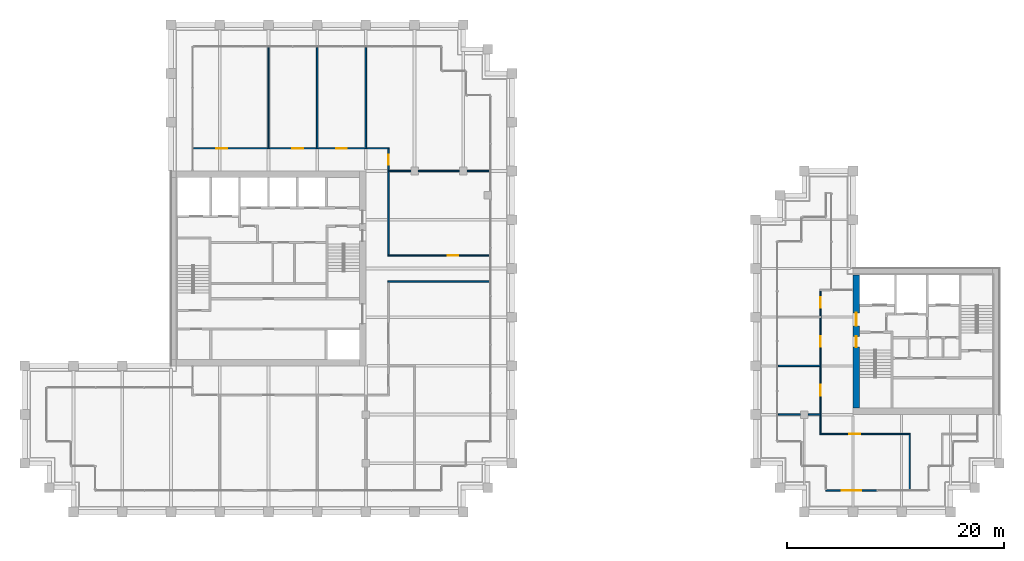
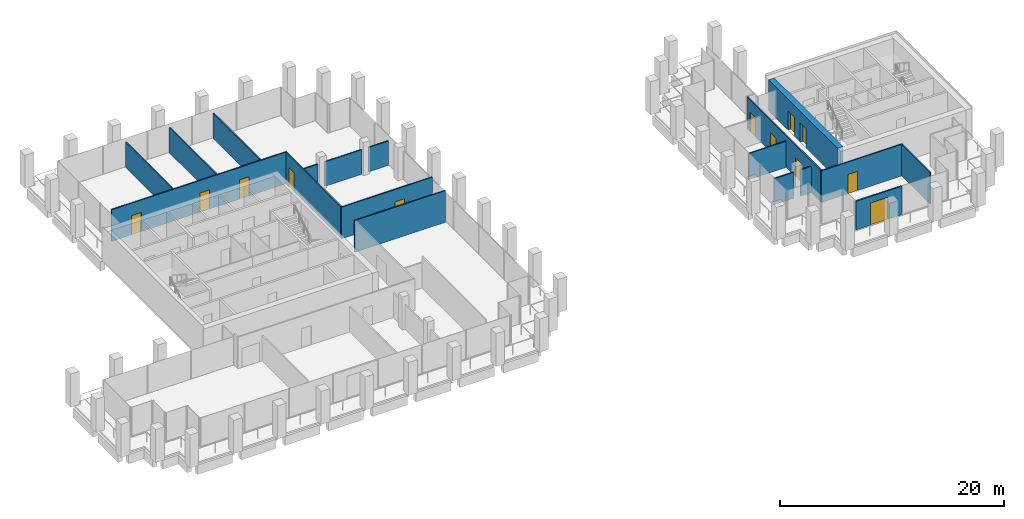
# One storey, part 37 of 40: 18 walls, 12 doors, 12 openings.
"""IFC4 building model written with IfcOpenShell, lengths in metres."""

from ifc_helpers import new_model, si_unit, direction, frame, frame_2d, origin, place, context, subcontext, project, spatial, rectangle, extrude, material, layer, layer_set, type_object, element, fill, save


model = new_model("IFC4")

# Units and contexts
model_context = context("Model", 3, precision=1e-05, world=origin(), true_north=direction((0.0, 1.0)))
body_context = subcontext(model_context, "Body", "Model", "MODEL_VIEW")
ifc_project = project(units=[si_unit("LENGTHUNIT", "METRE"), si_unit("AREAUNIT", "SQUARE_METRE"), si_unit("VOLUMEUNIT", "CUBIC_METRE"), si_unit("PLANEANGLEUNIT", "RADIAN"), si_unit("MASSUNIT", "GRAM", prefix="KILO")], contexts=[model_context])

# Site, building, storey
site_placement = place(None, origin())
site = spatial("IfcSite", under=ifc_project, at=site_placement, CompositionType="ELEMENT")
building_placement = place(site_placement, origin())
building = spatial("IfcBuilding", under=site, at=building_placement, Name="Altepetl Exchange Towers", CompositionType="ELEMENT")
storey_placement = place(building_placement, frame((0.0, 0.0, 172.60009765625)))
storey = spatial("IfcBuildingStorey", under=building, at=storey_placement, Name="L43", CompositionType="ELEMENT", Elevation=172.60009765625)

# Wall, openings, doors
ifc_material_1 = material(Name="Concrete C70/85", Category="concrete")
ifc_layer_1 = layer(ifc_material_1, 0.60009765625)
ifc_layer_set_1 = layer_set([ifc_layer_1], Name="Concrete C70/85")
wall_type_1 = type_object("IfcWallType", Name="Core wall 600 reinforced concrete", PredefinedType="SHEAR", material=ifc_layer_set_1)
wall_1_placement = place(storey_placement, frame((103.800048828125, 36.60009765625, 0.0), z_axis=(0.0, 0.0, 1.0), x_axis=(0.0, 1.0, 0.0)))
wall_1 = element("IfcWall", 1, at=wall_1_placement, inside=storey, type_object=wall_type_1, Name="wall:B:L43:K-coreW", PredefinedType="SHEAR", context=body_context, shape_type="SweptSolid", body=[
    extrude(rectangle(XDim=12.2998046875, YDim=0.60009765625, at=frame_2d((6.14990234375, 0.0))), origin(), (0.0, 0.0, 1.0), 3.349853515625),
])
opening_1_placement = place(wall_1_placement, frame((7.60009765625, 0.0, 0.0)))
opening_1 = element("IfcOpeningElement", 2, at=opening_1_placement, cuts=wall_1, Name="Opening L43.B60", PredefinedType="OPENING", context=body_context, shape_type="SweptSolid", body=[
    extrude(rectangle(XDim=1.199951171875, YDim=2.10009765625, at=frame_2d((0.60009765625, 1.050048828125))), frame((0.0, 0.31005859375, 0.0), z_axis=(0.0, -1.0, 0.0), x_axis=(1.0, 0.0, 0.0)), (0.0, 0.0, 1.0), 0.6201171875),
])
opening_2_placement = place(wall_1_placement, frame((5.625, 0.0, 0.0)))
opening_2 = element("IfcOpeningElement", 3, at=opening_2_placement, cuts=wall_1, Name="Opening L43.B62", PredefinedType="OPENING", context=body_context, shape_type="SweptSolid", body=[
    extrude(rectangle(XDim=1.0, YDim=2.10009765625, at=frame_2d((0.5, 1.050048828125))), frame((0.0, 0.31005859375, 0.0), z_axis=(0.0, -1.0, 0.0), x_axis=(1.0, 0.0, 0.0)), (0.0, 0.0, 1.0), 0.6201171875),
])
ifc_material_2 = material(Name="Steel and timber fire door", Category="steel")
door_type_1 = type_object("IfcDoorType", Name="Fire door 1000 x 2100 stair and lobby", OperationType="SINGLE_SWING_LEFT", PredefinedType="DOOR", material=ifc_material_2)
door_1_placement = place(opening_2_placement, frame((1.0, 0.0, 0.0), x_axis=(-1.0, 0.0, 0.0)))
door_1 = element("IfcDoor", 4, at=door_1_placement, inside=storey, type_object=door_type_1, Name="door:B:L43:K-dS1x", OperationType="SINGLE_SWING_RIGHT", OverallHeight=2.10009765625, OverallWidth=1.0, PredefinedType="DOOR", context=body_context, shape_type="SweptSolid", body=[
    extrude(rectangle(XDim=1.0, YDim=2.10009765625, at=frame_2d((0.5, 1.050048828125))), frame((0.0, 0.02490234375, 0.0), z_axis=(0.0, -1.0, 0.0), x_axis=(1.0, 0.0, 0.0)), (0.0, 0.0, 1.0), 0.050048828125),
])
fill(opening_2, door_1)
door_type_2 = type_object("IfcDoorType", Name="Fire door 1200 x 2100 lobby entry", OperationType="SINGLE_SWING_LEFT", PredefinedType="DOOR", material=ifc_material_2)
door_2_placement = place(opening_1_placement, frame((1.199951171875, 0.0, 0.0), x_axis=(-1.0, 0.0, 0.0)))
door_2 = element("IfcDoor", 5, at=door_2_placement, inside=storey, type_object=door_type_2, Name="door:B:L43:K-dLNW", OperationType="SINGLE_SWING_RIGHT", OverallHeight=2.10009765625, OverallWidth=1.199951171875, PredefinedType="DOOR", context=body_context, shape_type="SweptSolid", body=[
    extrude(rectangle(XDim=1.199951171875, YDim=2.10009765625, at=frame_2d((0.60009765625, 1.050048828125))), frame((0.0, 0.02490234375, 0.0), z_axis=(0.0, -1.0, 0.0), x_axis=(1.0, 0.0, 0.0)), (0.0, 0.0, 1.0), 0.050048828125),
])
fill(opening_1, door_2)

# Wall, opening, door
ifc_material_3 = material(Name="Aluminium composite cladding", Category="aluminium")
ifc_layer_2 = layer(ifc_material_3, 0.14990234375)
ifc_layer_set_2 = layer_set([ifc_layer_2], Name="Aluminium composite cladding")
wall_type_2 = type_object("IfcWallType", Name="Infill wall 150 aluminium panel", PredefinedType="SOLIDWALL", material=ifc_layer_set_2)
wall_2_placement = place(storey_placement, frame((101.0, 29.0, 0.0)))
wall_2 = element("IfcWall", 6, at=wall_2_placement, inside=storey, type_object=wall_type_2, Name="Loggia door bay wall", PredefinedType="SOLIDWALL", context=body_context, shape_type="SweptSolid", body=[
    extrude(rectangle(XDim=4.71240234375, YDim=0.14990234375, at=frame_2d((2.356201171875, 0.0))), origin(), (0.0, 0.0, 1.0), 3.099853515625),
])
opening_3_placement = place(wall_2_placement, frame((1.456298828125, 0.0, 0.0)))
opening_3 = element("IfcOpeningElement", 7, at=opening_3_placement, cuts=wall_2, Name="Opening L43.B90", PredefinedType="OPENING", context=body_context, shape_type="SweptSolid", body=[
    extrude(rectangle(XDim=1.800048828125, YDim=2.39990234375, at=frame_2d((0.89990234375, 1.199951171875))), frame((0.0, 0.0849609375, 0.0), z_axis=(0.0, -1.0, 0.0), x_axis=(1.0, 0.0, 0.0)), (0.0, 0.0, 1.0), 0.169921875),
])
ifc_material_4 = material(Name="Aluminium 6063-T6 and glass", Category="aluminium")
door_type_3 = type_object("IfcDoorType", Name="Glazed door pair 1800x2400", OperationType="DOUBLE_DOOR_DOUBLE_SWING", PredefinedType="NOTDEFINED", material=ifc_material_4)
door_3_placement = place(opening_3_placement, frame((1.800048828125, 0.0, 0.0), x_axis=(-1.0, 0.0, 0.0)))
door_3 = element("IfcDoor", 8, at=door_3_placement, inside=storey, type_object=door_type_3, Name="Loggia door", OperationType="DOUBLE_DOOR_DOUBLE_SWING", OverallHeight=2.39990234375, OverallWidth=1.800048828125, PredefinedType="NOTDEFINED", context=body_context, shape_type="SweptSolid", body=[
    extrude(rectangle(XDim=1.800048828125, YDim=2.39990234375, at=frame_2d((0.89990234375, 1.199951171875))), frame((0.0, 0.02490234375, 0.0), z_axis=(0.0, -1.0, 0.0), x_axis=(1.0, 0.0, 0.0)), (0.0, 0.0, 1.0), 0.050048828125),
])
fill(opening_3, door_3)

# Walls
ifc_material_5 = material(Name="Timber panels on aluminium track", Category="wood")
ifc_layer_3 = layer(ifc_material_5, 0.125)
ifc_layer_set_3 = layer_set([ifc_layer_3], Name="Timber panels on aluminium track")
wall_type_3 = type_object("IfcWallType", Name="Operable acoustic partition 125", PredefinedType="MOVABLE", material=ifc_layer_set_3)
for number, where, z_axis, x_axis, name in (
    (9, (49.5, 60.60009765625, 0.0), (0.0, 0.0, 1.0), (0.0, 1.0, 0.0), "wall:A:L43:P11"),
    (10, (54.0, 60.60009765625, 0.0), (0.0, 0.0, 1.0), (0.0, 1.0, 0.0), "wall:A:L43:P13"),
):
    element("IfcWall", number, at=place(storey_placement, frame(where, z_axis=z_axis, x_axis=x_axis)), inside=storey, type_object=wall_type_3, Name=name, PredefinedType="MOVABLE", context=body_context, shape_type="SweptSolid", body=[
        extrude(rectangle(XDim=9.2998046875, YDim=0.125, at=frame_2d((4.64990234375, 0.0))), origin(), (0.0, 0.0, 1.0), 2.765869140625),
    ])
ifc_material_6 = material(Name="Gypsum board on steel studs", Category="steel")
ifc_layer_4 = layer(ifc_material_6, 0.125)
ifc_layer_set_4 = layer_set([ifc_layer_4], Name="Gypsum board on steel studs")
wall_type_4 = type_object("IfcWallType", Name="Partition 125 gypsum board on steel studs", PredefinedType="PARTITIONING", material=ifc_layer_set_4)
wall_3_placement = place(storey_placement, frame((60.53759765625, 48.300048828125, 0.0)))
element("IfcWall", 11, at=wall_3_placement, inside=storey, type_object=wall_type_4, Name="wall:A:L43:P03", PredefinedType="PARTITIONING", context=body_context, shape_type="SweptSolid", body=[
    extrude(rectangle(XDim=9.3623046875, YDim=0.125, at=frame_2d((4.68115234375, 0.0))), origin(), (0.0, 0.0, 1.0), 3.449951171875),
])

# Wall, opening, door
wall_4_placement = place(storey_placement, frame((60.53759765625, 50.699951171875, 0.0)))
wall_4 = element("IfcWall", 12, at=wall_4_placement, inside=storey, type_object=wall_type_4, Name="wall:A:L43:P04", PredefinedType="PARTITIONING", context=body_context, shape_type="SweptSolid", body=[
    extrude(rectangle(XDim=9.3623046875, YDim=0.125, at=frame_2d((4.68115234375, 0.0))), origin(), (0.0, 0.0, 1.0), 3.449951171875),
])
opening_4_placement = place(wall_4_placement, frame((5.507568359375, 0.0, 0.0)))
opening_4 = element("IfcOpeningElement", 13, at=opening_4_placement, cuts=wall_4, Name="Opening L43.A06", PredefinedType="OPENING", context=body_context, shape_type="SweptSolid", body=[
    extrude(rectangle(XDim=1.0, YDim=2.10009765625, at=frame_2d((0.5, 1.050048828125))), frame((0.0, 0.072509765625, 0.0), z_axis=(0.0, -1.0, 0.0), x_axis=(1.0, 0.0, 0.0)), (0.0, 0.0, 1.0), 0.14501953125),
])
door_type_4 = type_object("IfcDoorType", Name="Fire door 1000 x 2100 single leaf", OperationType="SINGLE_SWING_LEFT", PredefinedType="DOOR", material=ifc_material_2)
door_4_placement = place(opening_4_placement, origin())
door_4 = element("IfcDoor", 14, at=door_4_placement, inside=storey, type_object=door_type_4, Name="door:A:L43:06", OperationType="SINGLE_SWING_LEFT", OverallHeight=2.10009765625, OverallWidth=1.0, PredefinedType="DOOR", context=body_context, shape_type="SweptSolid", body=[
    extrude(rectangle(XDim=1.0, YDim=2.10009765625, at=frame_2d((0.5, 1.050048828125))), frame((0.0, 0.02490234375, 0.0), z_axis=(0.0, -1.0, 0.0), x_axis=(1.0, 0.0, 0.0)), (0.0, 0.0, 1.0), 0.050048828125),
])
fill(opening_4, door_4)

# Walls
wall_5_placement = place(storey_placement, frame((60.60009765625, 58.5, 0.0)))
element("IfcWall", 15, at=wall_5_placement, inside=storey, type_object=wall_type_4, Name="wall:A:L43:P05", PredefinedType="PARTITIONING", context=body_context, shape_type="SweptSolid", body=[
    extrude(rectangle(XDim=2.0498046875, YDim=0.125, at=frame_2d((1.02490234375, 0.0))), origin(), (0.0, 0.0, 1.0), 2.67578125),
])
wall_6_placement = place(storey_placement, frame((63.35009765625, 58.5, 0.0)))
element("IfcWall", 16, at=wall_6_placement, inside=storey, type_object=wall_type_4, Name="wall:A:L43:P06", PredefinedType="PARTITIONING", context=body_context, shape_type="SweptSolid", body=[
    extrude(rectangle(XDim=3.7998046875, YDim=0.125, at=frame_2d((1.89990234375, 0.0))), origin(), (0.0, 0.0, 1.0), 2.67578125),
])
wall_7_placement = place(storey_placement, frame((67.85009765625, 58.5, 0.0)))
element("IfcWall", 17, at=wall_7_placement, inside=storey, type_object=wall_type_4, Name="wall:A:L43:P07", PredefinedType="PARTITIONING", context=body_context, shape_type="SweptSolid", body=[
    extrude(rectangle(XDim=2.0498046875, YDim=0.125, at=frame_2d((1.02490234375, 0.0))), origin(), (0.0, 0.0, 1.0), 2.67578125),
])

# Wall, openings, doors
wall_8_placement = place(storey_placement, frame((42.60009765625, 60.60009765625, 0.0)))
wall_8 = element("IfcWall", 18, at=wall_8_placement, inside=storey, type_object=wall_type_4, Name="wall:A:L43:P08", PredefinedType="PARTITIONING", context=body_context, shape_type="SweptSolid", body=[
    extrude(rectangle(XDim=18.0625, YDim=0.125, at=frame_2d((9.03125, 0.0))), origin(), (0.0, 0.0, 1.0), 3.449951171875),
])
opening_5_placement = place(wall_8_placement, frame((2.074951171875, 0.0, 0.0)))
opening_5 = element("IfcOpeningElement", 19, at=opening_5_placement, cuts=wall_8, Name="Opening L43.A08", PredefinedType="OPENING", context=body_context, shape_type="SweptSolid", body=[
    extrude(rectangle(XDim=1.0, YDim=2.10009765625, at=frame_2d((0.5, 1.050048828125))), frame((0.0, 0.072509765625, 0.0), z_axis=(0.0, -1.0, 0.0), x_axis=(1.0, 0.0, 0.0)), (0.0, 0.0, 1.0), 0.14501953125),
])
opening_6_placement = place(wall_8_placement, frame((9.10498046875, 0.0, 0.0)))
opening_6 = element("IfcOpeningElement", 20, at=opening_6_placement, cuts=wall_8, Name="Opening L43.A09", PredefinedType="OPENING", context=body_context, shape_type="SweptSolid", body=[
    extrude(rectangle(XDim=1.0, YDim=2.10009765625, at=frame_2d((0.5, 1.050048828125))), frame((0.0, 0.072509765625, 0.0), z_axis=(0.0, -1.0, 0.0), x_axis=(1.0, 0.0, 0.0)), (0.0, 0.0, 1.0), 0.14501953125),
])
opening_7_placement = place(wall_8_placement, frame((13.14990234375, 0.0, 0.0)))
opening_7 = element("IfcOpeningElement", 21, at=opening_7_placement, cuts=wall_8, Name="Opening L43.A10", PredefinedType="OPENING", context=body_context, shape_type="SweptSolid", body=[
    extrude(rectangle(XDim=1.0, YDim=2.10009765625, at=frame_2d((0.5, 1.050048828125))), frame((0.0, 0.072509765625, 0.0), z_axis=(0.0, -1.0, 0.0), x_axis=(1.0, 0.0, 0.0)), (0.0, 0.0, 1.0), 0.14501953125),
])
door_5_placement = place(opening_5_placement, origin())
door_5 = element("IfcDoor", 22, at=door_5_placement, inside=storey, type_object=door_type_4, Name="door:A:L43:08", OperationType="SINGLE_SWING_RIGHT", OverallHeight=2.10009765625, OverallWidth=1.0, PredefinedType="DOOR", context=body_context, shape_type="SweptSolid", body=[
    extrude(rectangle(XDim=1.0, YDim=2.10009765625, at=frame_2d((0.5, 1.050048828125))), frame((0.0, 0.02490234375, 0.0), z_axis=(0.0, -1.0, 0.0), x_axis=(1.0, 0.0, 0.0)), (0.0, 0.0, 1.0), 0.050048828125),
])
fill(opening_5, door_5)
door_6_placement = place(opening_6_placement, origin())
door_6 = element("IfcDoor", 23, at=door_6_placement, inside=storey, type_object=door_type_4, Name="door:A:L43:09", OperationType="SINGLE_SWING_RIGHT", OverallHeight=2.10009765625, OverallWidth=1.0, PredefinedType="DOOR", context=body_context, shape_type="SweptSolid", body=[
    extrude(rectangle(XDim=1.0, YDim=2.10009765625, at=frame_2d((0.5, 1.050048828125))), frame((0.0, 0.02490234375, 0.0), z_axis=(0.0, -1.0, 0.0), x_axis=(1.0, 0.0, 0.0)), (0.0, 0.0, 1.0), 0.050048828125),
])
fill(opening_6, door_6)
door_7_placement = place(opening_7_placement, origin())
door_7 = element("IfcDoor", 24, at=door_7_placement, inside=storey, type_object=door_type_4, Name="door:A:L43:10", OperationType="SINGLE_SWING_LEFT", OverallHeight=2.10009765625, OverallWidth=1.0, PredefinedType="DOOR", context=body_context, shape_type="SweptSolid", body=[
    extrude(rectangle(XDim=1.0, YDim=2.10009765625, at=frame_2d((0.5, 1.050048828125))), frame((0.0, 0.02490234375, 0.0), z_axis=(0.0, -1.0, 0.0), x_axis=(1.0, 0.0, 0.0)), (0.0, 0.0, 1.0), 0.050048828125),
])
fill(opening_7, door_7)

# Wall
wall_9_placement = place(storey_placement, frame((58.5, 60.60009765625, 0.0), z_axis=(0.0, 0.0, 1.0), x_axis=(0.0, 1.0, 0.0)))
element("IfcWall", 25, at=wall_9_placement, inside=storey, type_object=wall_type_4, Name="wall:A:L43:P17", PredefinedType="PARTITIONING", context=body_context, shape_type="SweptSolid", body=[
    extrude(rectangle(XDim=9.2998046875, YDim=0.125, at=frame_2d((4.64990234375, 0.0))), origin(), (0.0, 0.0, 1.0), 2.765869140625),
])

# Wall, opening, door
wall_10_placement = place(storey_placement, frame((60.60009765625, 50.762451171875, 0.0), z_axis=(0.0, 0.0, 1.0), x_axis=(0.0, 1.0, 0.0)))
wall_10 = element("IfcWall", 26, at=wall_10_placement, inside=storey, type_object=wall_type_4, Name="wall:A:L43:P19", PredefinedType="PARTITIONING", context=body_context, shape_type="SweptSolid", body=[
    extrude(rectangle(XDim=9.775146484375, YDim=0.125, at=frame_2d((4.8876953125, 0.0))), origin(), (0.0, 0.0, 1.0), 3.449951171875),
])
opening_8_placement = place(wall_10_placement, frame((8.33740234375, 0.0, 0.0)))
opening_8 = element("IfcOpeningElement", 27, at=opening_8_placement, cuts=wall_10, Name="Opening L43.A07", PredefinedType="OPENING", context=body_context, shape_type="SweptSolid", body=[
    extrude(rectangle(XDim=0.89990234375, YDim=2.10009765625, at=frame_2d((0.449951171875, 1.050048828125))), frame((0.0, 0.072509765625, 0.0), z_axis=(0.0, -1.0, 0.0), x_axis=(1.0, 0.0, 0.0)), (0.0, 0.0, 1.0), 0.14501953125),
])
door_type_5 = type_object("IfcDoorType", Name="Fire door 900 x 2100 single leaf", OperationType="SINGLE_SWING_LEFT", PredefinedType="DOOR", material=ifc_material_2)
door_8_placement = place(opening_8_placement, frame((0.89990234375, 0.0, 0.0), x_axis=(-1.0, 0.0, 0.0)))
door_8 = element("IfcDoor", 28, at=door_8_placement, inside=storey, type_object=door_type_5, Name="door:A:L43:07", OperationType="SINGLE_SWING_LEFT", OverallHeight=2.10009765625, OverallWidth=0.89990234375, PredefinedType="DOOR", context=body_context, shape_type="SweptSolid", body=[
    extrude(rectangle(XDim=0.89990234375, YDim=2.10009765625, at=frame_2d((0.449951171875, 1.050048828125))), frame((0.0, 0.02490234375, 0.0), z_axis=(0.0, -1.0, 0.0), x_axis=(1.0, 0.0, 0.0)), (0.0, 0.0, 1.0), 0.050048828125),
])
fill(opening_8, door_8)

wall_11_placement = place(storey_placement, frame((100.4375, 34.199951171875, 0.0)))
wall_11 = element("IfcWall", 29, at=wall_11_placement, inside=storey, type_object=wall_type_4, Name="wall:B:L43:P01", PredefinedType="PARTITIONING", context=body_context, shape_type="SweptSolid", body=[
    extrude(rectangle(XDim=8.375, YDim=0.125, at=frame_2d((4.1875, 0.0))), origin(), (0.0, 0.0, 1.0), 3.449951171875),
])
opening_9_placement = place(wall_11_placement, frame((2.737548828125, 0.0, 0.0)))
opening_9 = element("IfcOpeningElement", 30, at=opening_9_placement, cuts=wall_11, Name="Opening L43.B02", PredefinedType="OPENING", context=body_context, shape_type="SweptSolid", body=[
    extrude(rectangle(XDim=1.0, YDim=2.10009765625, at=frame_2d((0.5, 1.050048828125))), frame((0.0, 0.072509765625, 0.0), z_axis=(0.0, -1.0, 0.0), x_axis=(1.0, 0.0, 0.0)), (0.0, 0.0, 1.0), 0.14501953125),
])
door_9_placement = place(opening_9_placement, frame((1.0, 0.0, 0.0), x_axis=(-1.0, 0.0, 0.0)))
door_9 = element("IfcDoor", 31, at=door_9_placement, inside=storey, type_object=door_type_4, Name="door:B:L43:02", OperationType="SINGLE_SWING_LEFT", OverallHeight=2.10009765625, OverallWidth=1.0, PredefinedType="DOOR", context=body_context, shape_type="SweptSolid", body=[
    extrude(rectangle(XDim=1.0, YDim=2.10009765625, at=frame_2d((0.5, 1.050048828125))), frame((0.0, 0.02490234375, 0.0), z_axis=(0.0, -1.0, 0.0), x_axis=(1.0, 0.0, 0.0)), (0.0, 0.0, 1.0), 0.050048828125),
])
fill(opening_9, door_9)

# Walls
wall_12_placement = place(storey_placement, frame((96.60009765625, 36.0, 0.0)))
element("IfcWall", 32, at=wall_12_placement, inside=storey, type_object=wall_type_4, Name="wall:B:L43:P03", PredefinedType="PARTITIONING", context=body_context, shape_type="SweptSolid", body=[
    extrude(rectangle(XDim=2.0498046875, YDim=0.125, at=frame_2d((1.02490234375, 0.0))), origin(), (0.0, 0.0, 1.0), 2.841796875),
])
wall_13_placement = place(storey_placement, frame((99.35009765625, 36.0, 0.0)))
element("IfcWall", 33, at=wall_13_placement, inside=storey, type_object=wall_type_4, Name="wall:B:L43:P04", PredefinedType="PARTITIONING", context=body_context, shape_type="SweptSolid", body=[
    extrude(rectangle(XDim=1.14990234375, YDim=0.125, at=frame_2d((0.574951171875, 0.0))), origin(), (0.0, 0.0, 1.0), 2.841796875),
])
wall_14_placement = place(storey_placement, frame((96.60009765625, 40.5, 0.0)))
element("IfcWall", 34, at=wall_14_placement, inside=storey, type_object=wall_type_4, Name="wall:B:L43:P05", PredefinedType="PARTITIONING", context=body_context, shape_type="SweptSolid", body=[
    extrude(rectangle(XDim=3.89990234375, YDim=0.125, at=frame_2d((1.949951171875, 0.0))), origin(), (0.0, 0.0, 1.0), 2.850830078125),
])

# Wall, openings, doors
wall_15_placement = place(storey_placement, frame((100.5, 34.262451171875, 0.0), z_axis=(0.0, 0.0, 1.0), x_axis=(0.0, 1.0, 0.0)))
wall_15 = element("IfcWall", 35, at=wall_15_placement, inside=storey, type_object=wall_type_4, Name="wall:B:L43:P08", PredefinedType="PARTITIONING", context=body_context, shape_type="SweptSolid", body=[
    extrude(rectangle(XDim=13.175048828125, YDim=0.125, at=frame_2d((6.58740234375, 0.0))), origin(), (0.0, 0.0, 1.0), 3.449951171875),
])
opening_10_placement = place(wall_15_placement, frame((3.487548828125, 0.0, 0.0)))
opening_10 = element("IfcOpeningElement", 36, at=opening_10_placement, cuts=wall_15, Name="Opening L43.B01", PredefinedType="OPENING", context=body_context, shape_type="SweptSolid", body=[
    extrude(rectangle(XDim=1.0, YDim=2.10009765625, at=frame_2d((0.5, 1.050048828125))), frame((0.0, 0.072509765625, 0.0), z_axis=(0.0, -1.0, 0.0), x_axis=(1.0, 0.0, 0.0)), (0.0, 0.0, 1.0), 0.14501953125),
])
opening_11_placement = place(wall_15_placement, frame((11.592529296875, 0.0, 0.0)))
opening_11 = element("IfcOpeningElement", 37, at=opening_11_placement, cuts=wall_15, Name="Opening L43.B03", PredefinedType="OPENING", context=body_context, shape_type="SweptSolid", body=[
    extrude(rectangle(XDim=1.0, YDim=2.10009765625, at=frame_2d((0.5, 1.050048828125))), frame((0.0, 0.072509765625, 0.0), z_axis=(0.0, -1.0, 0.0), x_axis=(1.0, 0.0, 0.0)), (0.0, 0.0, 1.0), 0.14501953125),
])
opening_12_placement = place(wall_15_placement, frame((7.987548828125, 0.0, 0.0)))
opening_12 = element("IfcOpeningElement", 38, at=opening_12_placement, cuts=wall_15, Name="Opening L43.B04", PredefinedType="OPENING", context=body_context, shape_type="SweptSolid", body=[
    extrude(rectangle(XDim=1.0, YDim=2.10009765625, at=frame_2d((0.5, 1.050048828125))), frame((0.0, 0.072509765625, 0.0), z_axis=(0.0, -1.0, 0.0), x_axis=(1.0, 0.0, 0.0)), (0.0, 0.0, 1.0), 0.14501953125),
])
door_10_placement = place(opening_10_placement, origin())
door_10 = element("IfcDoor", 39, at=door_10_placement, inside=storey, type_object=door_type_4, Name="door:B:L43:01", OperationType="SINGLE_SWING_RIGHT", OverallHeight=2.10009765625, OverallWidth=1.0, PredefinedType="DOOR", context=body_context, shape_type="SweptSolid", body=[
    extrude(rectangle(XDim=1.0, YDim=2.10009765625, at=frame_2d((0.5, 1.050048828125))), frame((0.0, 0.02490234375, 0.0), z_axis=(0.0, -1.0, 0.0), x_axis=(1.0, 0.0, 0.0)), (0.0, 0.0, 1.0), 0.050048828125),
])
fill(opening_10, door_10)
door_11_placement = place(opening_11_placement, origin())
door_11 = element("IfcDoor", 40, at=door_11_placement, inside=storey, type_object=door_type_4, Name="door:B:L43:03", OperationType="SINGLE_SWING_RIGHT", OverallHeight=2.10009765625, OverallWidth=1.0, PredefinedType="DOOR", context=body_context, shape_type="SweptSolid", body=[
    extrude(rectangle(XDim=1.0, YDim=2.10009765625, at=frame_2d((0.5, 1.050048828125))), frame((0.0, 0.02490234375, 0.0), z_axis=(0.0, -1.0, 0.0), x_axis=(1.0, 0.0, 0.0)), (0.0, 0.0, 1.0), 0.050048828125),
])
fill(opening_11, door_11)
door_12_placement = place(opening_12_placement, origin())
door_12 = element("IfcDoor", 41, at=door_12_placement, inside=storey, type_object=door_type_4, Name="door:B:L43:04", OperationType="SINGLE_SWING_LEFT", OverallHeight=2.10009765625, OverallWidth=1.0, PredefinedType="DOOR", context=body_context, shape_type="SweptSolid", body=[
    extrude(rectangle(XDim=1.0, YDim=2.10009765625, at=frame_2d((0.5, 1.050048828125))), frame((0.0, 0.02490234375, 0.0), z_axis=(0.0, -1.0, 0.0), x_axis=(1.0, 0.0, 0.0)), (0.0, 0.0, 1.0), 0.050048828125),
])
fill(opening_12, door_12)

# Wall
wall_16_placement = place(storey_placement, frame((108.75, 29.10009765625, 0.0), z_axis=(0.0, 0.0, 1.0), x_axis=(0.0, 1.0, 0.0)))
element("IfcWall", 42, at=wall_16_placement, inside=storey, type_object=wall_type_4, Name="wall:B:L43:P09", PredefinedType="PARTITIONING", context=body_context, shape_type="SweptSolid", body=[
    extrude(rectangle(XDim=5.037353515625, YDim=0.125, at=frame_2d((2.5185546875, 0.0))), origin(), (0.0, 0.0, 1.0), 3.449951171875),
])

save(model, "model.ifc")
